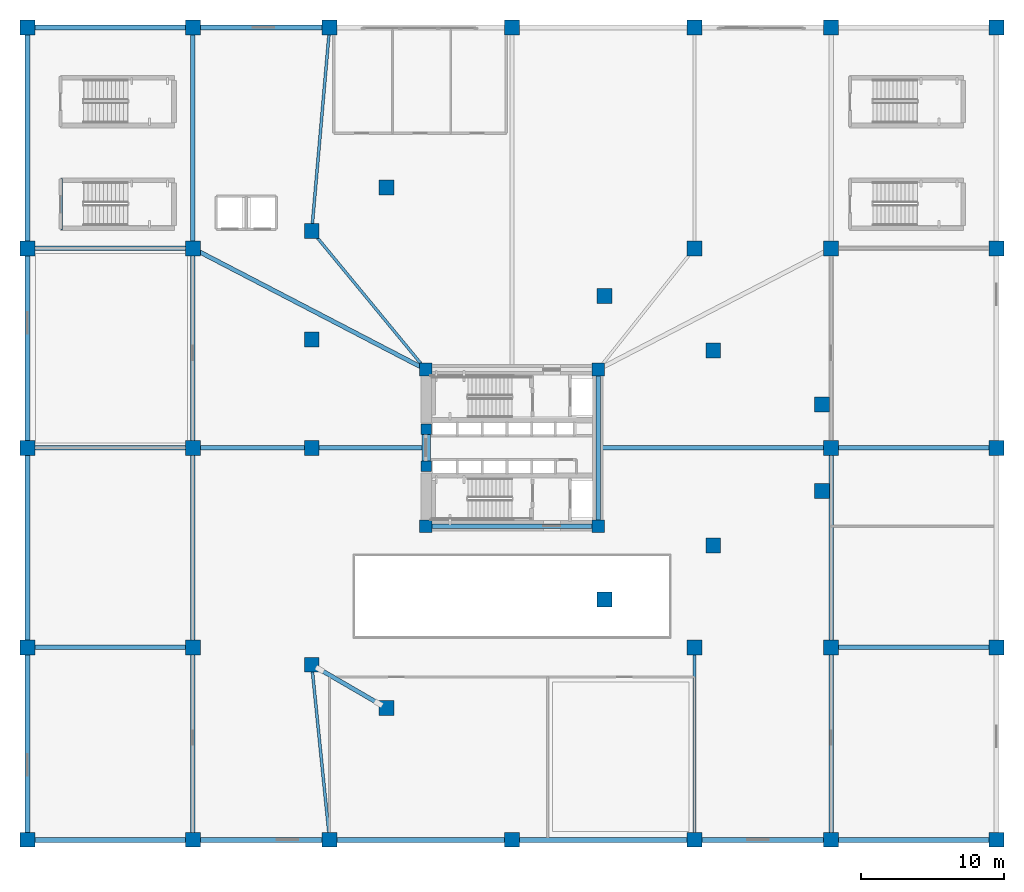
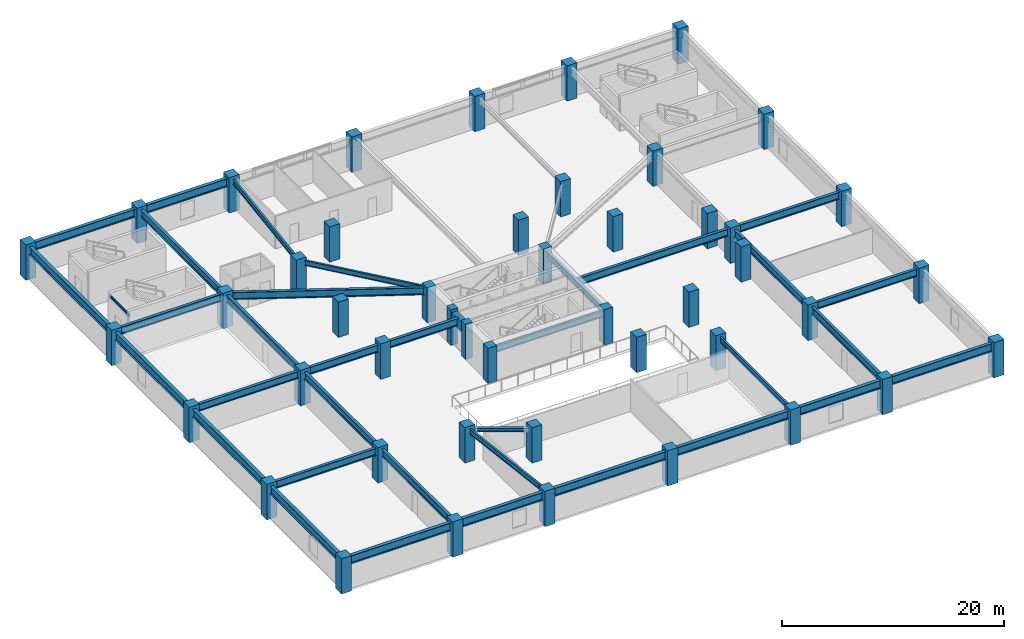
# One storey, part 1 of 15: 46 columns, 34 beams, 1 member.
"""IFC4 building model written with IfcOpenShell, lengths in metres."""

from ifc_helpers import new_model, si_unit, direction, frame, origin, origin_2d, place, context, subcontext, project, spatial, rectangle, i_section, extrude, source, transform, mapped, material, material_profile, profile_set, type_object, element, save


model = new_model("IFC4")

# Units and contexts
model_context = context("Model", 3, precision=1e-05, world=origin(), true_north=direction((0.0, 1.0)))
body_context = subcontext(model_context, "Body", "Model", "MODEL_VIEW")
ifc_project = project(units=[si_unit("LENGTHUNIT", "METRE"), si_unit("AREAUNIT", "SQUARE_METRE"), si_unit("VOLUMEUNIT", "CUBIC_METRE"), si_unit("PLANEANGLEUNIT", "RADIAN"), si_unit("MASSUNIT", "GRAM", prefix="KILO")], contexts=[model_context])

# Site, building, storey
site_placement = place(None, origin())
site = spatial("IfcSite", under=ifc_project, at=site_placement, CompositionType="ELEMENT")
building_placement = place(site_placement, origin())
building = spatial("IfcBuilding", under=site, at=building_placement, Name="Yunling Apex Tower", CompositionType="ELEMENT")
storey_placement = place(building_placement, frame((0.0, 0.0, 8.39990234375)))
storey = spatial("IfcBuildingStorey", under=building, at=storey_placement, Name="L03", CompositionType="ELEMENT", Elevation=8.39990234375)

# Columns
ifc_material_1 = material(Name="Concrete C60", Category="concrete")
ifc_material_profile_1 = material_profile(ifc_material_1, rectangle(XDim=0.89990234375, YDim=0.89990234375, at=origin_2d()))
ifc_profile_set_1 = profile_set([ifc_material_profile_1], Name="Concrete C60")
column_type_1 = type_object("IfcColumnType", Name="PC-SRC-3", PredefinedType="COLUMN", material=ifc_profile_set_1)
shared_shape_1 = source(origin(), body_context, "Body", "SweptSolid", [
    extrude(rectangle(XDim=0.89990234375, YDim=0.89990234375, at=origin_2d()), origin(), (0.0, 0.0, 1.0), 3.900146484375),
])
for number, where, z_axis, x_axis, name in (
    (1, (-6.050048828125, -5.5, 0.0), (0.0, 0.0, 1.0), (1.0, 0.0, 0.0), "L03 Core Spine Column CC-SW"),
    (2, (6.050048828125, -5.5, 0.0), (0.0, 0.0, 1.0), (1.0, 0.0, 0.0), "L03 Core Spine Column CC-SE"),
    (3, (6.050048828125, 5.5, 0.0), (0.0, 0.0, 1.0), (1.0, 0.0, 0.0), "L03 Core Spine Column CC-NE"),
    (4, (-6.050048828125, 5.5, 0.0), (0.0, 0.0, 1.0), (1.0, 0.0, 0.0), "L03 Core Spine Column CC-NW"),
):
    element("IfcColumn", number, at=place(storey_placement, frame(where, z_axis=z_axis, x_axis=x_axis)), inside=storey, type_object=column_type_1, Name=name, PredefinedType="COLUMN", context=body_context, shape_type="MappedRepresentation", body=[
        mapped(shared_shape_1, transform((0.0, 0.0, 0.0), scale=1.0)),
    ])
ifc_material_2 = material(Name="Concrete C50", Category="concrete")
ifc_material_profile_2 = material_profile(ifc_material_2, rectangle(XDim=0.75, YDim=0.75, at=origin_2d()))
ifc_profile_set_2 = profile_set([ifc_material_profile_2], Name="Concrete C50")
column_type_2 = type_object("IfcColumnType", Name="PC-SRC-4", PredefinedType="COLUMN", material=ifc_profile_set_2)
shared_shape_2 = source(origin(), body_context, "Body", "SweptSolid", [
    extrude(rectangle(XDim=0.75, YDim=0.75, at=origin_2d()), origin(), (0.0, 0.0, 1.0), 3.900146484375),
])
for number, where, z_axis, x_axis, name in (
    (5, (-6.02490234375, -1.300048828125, 0.0), (0.0, 0.0, 1.0), (1.0, 0.0, 0.0), "L03 Core West Portal Jamb Column S"),
    (6, (-6.02490234375, 1.300048828125, 0.0), (0.0, 0.0, 1.0), (1.0, 0.0, 0.0), "L03 Core West Portal Jamb Column N"),
):
    element("IfcColumn", number, at=place(storey_placement, frame(where, z_axis=z_axis, x_axis=x_axis)), inside=storey, type_object=column_type_2, Name=name, PredefinedType="COLUMN", context=body_context, shape_type="MappedRepresentation", body=[
        mapped(shared_shape_2, transform((0.0, 0.0, 0.0), scale=1.0)),
    ])
ifc_material_profile_3 = material_profile(ifc_material_1, rectangle(XDim=1.050048828125, YDim=1.050048828125, at=origin_2d()))
ifc_profile_set_3 = profile_set([ifc_material_profile_3], Name="Concrete C60")
column_type_3 = type_object("IfcColumnType", Name="PC-SRC-2", PredefinedType="COLUMN", material=ifc_profile_set_3)
shared_shape_3 = source(origin(), body_context, "Body", "SweptSolid", [
    extrude(rectangle(XDim=1.050048828125, YDim=1.050048828125, at=origin_2d()), origin(), (0.0, 0.0, 1.0), 3.900146484375),
])
for number, where, z_axis, x_axis, name in (
    (7, (-34.0, -27.5, 0.0), (0.0, 0.0, 1.0), (1.0, 0.0, 0.0), "L03 Podium Mega-Column PC-01"),
    (8, (-22.39990234375, -27.5, 0.0), (0.0, 0.0, 1.0), (1.0, 0.0, 0.0), "L03 Podium Mega-Column PC-02"),
    (9, (-12.800048828125, -27.5, 0.0), (0.0, 0.0, 1.0), (1.0, 0.0, 0.0), "L03 Podium Mega-Column PC-03"),
    (10, (0.0, -27.5, 0.0), (0.0, 0.0, 1.0), (1.0, 0.0, 0.0), "L03 Podium Mega-Column PC-04"),
    (11, (12.800048828125, -27.5, 0.0), (0.0, 0.0, 1.0), (1.0, 0.0, 0.0), "L03 Podium Mega-Column PC-05"),
    (12, (22.39990234375, -27.5, 0.0), (0.0, 0.0, 1.0), (1.0, 0.0, 0.0), "L03 Podium Mega-Column PC-06"),
    (13, (34.0, -27.5, 0.0), (0.0, 0.0, 1.0), (1.0, 0.0, 0.0), "L03 Podium Mega-Column PC-07"),
    (14, (-34.0, -14.0, 0.0), (0.0, 0.0, 1.0), (1.0, 0.0, 0.0), "L03 Podium Mega-Column PC-08"),
    (15, (-22.39990234375, -14.0, 0.0), (0.0, 0.0, 1.0), (1.0, 0.0, 0.0), "L03 Podium Mega-Column PC-09"),
    (16, (12.800048828125, -14.0, 0.0), (0.0, 0.0, 1.0), (1.0, 0.0, 0.0), "L03 Podium Mega-Column PC-11"),
    (17, (22.39990234375, -14.0, 0.0), (0.0, 0.0, 1.0), (1.0, 0.0, 0.0), "L03 Podium Mega-Column PC-12"),
    (18, (34.0, -14.0, 0.0), (0.0, 0.0, 1.0), (1.0, 0.0, 0.0), "L03 Podium Mega-Column PC-13"),
    (19, (-34.0, 0.0, 0.0), (0.0, 0.0, 1.0), (1.0, 0.0, 0.0), "L03 Podium Mega-Column PC-14"),
    (20, (-22.39990234375, 0.0, 0.0), (0.0, 0.0, 1.0), (1.0, 0.0, 0.0), "L03 Podium Mega-Column PC-15"),
    (21, (22.39990234375, 0.0, 0.0), (0.0, 0.0, 1.0), (1.0, 0.0, 0.0), "L03 Podium Mega-Column PC-16"),
    (22, (34.0, 0.0, 0.0), (0.0, 0.0, 1.0), (1.0, 0.0, 0.0), "L03 Podium Mega-Column PC-17"),
    (23, (-34.0, 14.0, 0.0), (0.0, 0.0, 1.0), (1.0, 0.0, 0.0), "L03 Podium Mega-Column PC-18"),
    (24, (-22.39990234375, 14.0, 0.0), (0.0, 0.0, 1.0), (1.0, 0.0, 0.0), "L03 Podium Mega-Column PC-19"),
    (25, (12.800048828125, 14.0, 0.0), (0.0, 0.0, 1.0), (1.0, 0.0, 0.0), "L03 Podium Mega-Column PC-21"),
    (26, (22.39990234375, 14.0, 0.0), (0.0, 0.0, 1.0), (1.0, 0.0, 0.0), "L03 Podium Mega-Column PC-22"),
    (27, (34.0, 14.0, 0.0), (0.0, 0.0, 1.0), (1.0, 0.0, 0.0), "L03 Podium Mega-Column PC-23"),
    (28, (-34.0, 29.5, 0.0), (0.0, 0.0, 1.0), (1.0, 0.0, 0.0), "L03 Podium Mega-Column PC-24"),
    (29, (-22.39990234375, 29.5, 0.0), (0.0, 0.0, 1.0), (1.0, 0.0, 0.0), "L03 Podium Mega-Column PC-25"),
    (30, (-12.800048828125, 29.5, 0.0), (0.0, 0.0, 1.0), (1.0, 0.0, 0.0), "L03 Podium Mega-Column PC-26"),
    (31, (0.0, 29.5, 0.0), (0.0, 0.0, 1.0), (1.0, 0.0, 0.0), "L03 Podium Mega-Column PC-27"),
    (32, (12.800048828125, 29.5, 0.0), (0.0, 0.0, 1.0), (1.0, 0.0, 0.0), "L03 Podium Mega-Column PC-28"),
    (33, (22.39990234375, 29.5, 0.0), (0.0, 0.0, 1.0), (1.0, 0.0, 0.0), "L03 Podium Mega-Column PC-29"),
    (34, (34.0, 29.5, 0.0), (0.0, 0.0, 1.0), (1.0, 0.0, 0.0), "L03 Podium Mega-Column PC-30"),
    (35, (-8.8115234375, -18.2578125, 0.0), (0.0, 0.0, 1.0), (1.0, 0.0, 0.0), "L03 Podium Mega-Column MP-B1-01"),
    (36, (6.477294921875, -10.648193359375, 0.0), (0.0, 0.0, 1.0), (1.0, 0.0, 0.0), "L03 Podium Mega-Column MP-B1-02"),
    (37, (14.121826171875, -6.843505859375, 0.0), (0.0, 0.0, 1.0), (1.0, 0.0, 0.0), "L03 Podium Mega-Column MP-B1-03"),
    (38, (21.76611328125, -3.038818359375, 0.0), (0.0, 0.0, 1.0), (1.0, 0.0, 0.0), "L03 Podium Mega-Column MP-B1-04"),
    (39, (21.76611328125, 3.038818359375, 0.0), (0.0, 0.0, 1.0), (1.0, 0.0, 0.0), "L03 Podium Mega-Column MP-B1-05"),
    (40, (14.121826171875, 6.843505859375, 0.0), (0.0, 0.0, 1.0), (1.0, 0.0, 0.0), "L03 Podium Mega-Column MP-B1-06"),
    (41, (6.477294921875, 10.648193359375, 0.0), (0.0, 0.0, 1.0), (1.0, 0.0, 0.0), "L03 Podium Mega-Column MP-B1-07"),
    (42, (-8.8115234375, 18.2578125, 0.0), (0.0, 0.0, 1.0), (1.0, 0.0, 0.0), "L03 Podium Mega-Column MP-B1-08"),
    (43, (-14.052001953125, 15.218994140625, 0.0), (0.0, 0.0, 1.0), (1.0, 0.0, 0.0), "L03 Podium Mega-Column MP-B1-09"),
    (44, (-14.052001953125, 7.609619140625, 0.0), (0.0, 0.0, 1.0), (1.0, 0.0, 0.0), "L03 Podium Mega-Column MP-B1-10"),
    (45, (-14.052001953125, 0.0, 0.0), (0.0, 0.0, 1.0), (1.0, 0.0, 0.0), "L03 Podium Mega-Column MP-B1-11"),
    (46, (-14.052001953125, -15.218994140625, 0.0), (0.0, 0.0, 1.0), (1.0, 0.0, 0.0), "L03 Podium Mega-Column MP-B1-12"),
):
    element("IfcColumn", number, at=place(storey_placement, frame(where, z_axis=z_axis, x_axis=x_axis)), inside=storey, type_object=column_type_3, Name=name, PredefinedType="COLUMN", context=body_context, shape_type="MappedRepresentation", body=[
        mapped(shared_shape_3, transform((0.0, 0.0, 0.0), scale=1.0)),
    ])

# Beams
ifc_material_profile_4 = material_profile(ifc_material_1, rectangle(XDim=0.60009765625, YDim=1.0, at=origin_2d()))
ifc_profile_set_4 = profile_set([ifc_material_profile_4], Name="Concrete C60")
beam_type_1 = type_object("IfcBeamType", Name="BC-CPL-1", PredefinedType="BEAM", material=ifc_profile_set_4)
shared_shape_4 = source(origin(), body_context, "Body", "SweptSolid", [
    extrude(rectangle(XDim=0.60009765625, YDim=1.0, at=origin_2d()), origin(), (0.0, 0.0, 1.0), 2.5),
])
beam_1_placement = place(storey_placement, frame((-6.02490234375, -1.25, 3.090087890625), z_axis=(0.0, 1.0, 0.0), x_axis=(-1.0, 0.0, 0.0)))
element("IfcBeam", 47, at=beam_1_placement, inside=storey, type_object=beam_type_1, Name="L03 Core West Portal Coupling Beam", PredefinedType="BEAM", context=body_context, shape_type="MappedRepresentation", body=[
    mapped(shared_shape_4, transform((0.0, 0.0, 0.0), scale=1.0)),
])
ifc_material_3 = material(Name="Steel Q355B", Category="steel")
ifc_material_profile_5 = material_profile(ifc_material_3, i_section(OverallWidth=0.300048828125, OverallDepth=0.699951171875, WebThickness=0.012939453125, FlangeThickness=0.02392578125, FilletRadius=0.02587890625, at=origin_2d()))
ifc_profile_set_5 = profile_set([ifc_material_profile_5], Name="Steel Q355B")
beam_type_2 = type_object("IfcBeamType", Name="BG-PRI-3", PredefinedType="USERDEFINED", material=ifc_profile_set_5)
shared_shape_5 = source(origin(), body_context, "Body", "SweptSolid", [
    extrude(i_section(OverallWidth=0.300048828125, OverallDepth=0.699951171875, WebThickness=0.012939453125, FlangeThickness=0.02392578125, FilletRadius=0.02587890625, at=origin_2d()), origin(), (0.0, 0.0, 1.0), 11.7998046875),
])
beam_2_placement = place(storey_placement, frame((-5.89990234375, -5.5, 3.239990234375), z_axis=(1.0, 0.0, 0.0), x_axis=(0.0, 1.0, 0.0)))
element("IfcBeam", 48, at=beam_2_placement, inside=storey, type_object=beam_type_2, Name="L03 Core Ring Tie Beam 1", ObjectType="GIRDER", PredefinedType="USERDEFINED", context=body_context, shape_type="MappedRepresentation", body=[
    mapped(shared_shape_5, transform((0.0, 0.0, 0.0), scale=1.0)),
])
shared_shape_6 = source(origin(), body_context, "Body", "SweptSolid", [
    extrude(i_section(OverallWidth=0.300048828125, OverallDepth=0.699951171875, WebThickness=0.012939453125, FlangeThickness=0.02392578125, FilletRadius=0.02587890625, at=origin_2d()), origin(), (0.0, 0.0, 1.0), 10.7001953125),
])
beam_3_placement = place(storey_placement, frame((6.050048828125, -5.35009765625, 3.239990234375), z_axis=(0.0, 1.0, 0.0), x_axis=(-1.0, 0.0, 0.0)))
element("IfcBeam", 49, at=beam_3_placement, inside=storey, type_object=beam_type_2, Name="L03 Core Ring Tie Beam 2", ObjectType="GIRDER", PredefinedType="USERDEFINED", context=body_context, shape_type="MappedRepresentation", body=[
    mapped(shared_shape_6, transform((0.0, 0.0, 0.0), scale=1.0)),
])
ifc_material_profile_6 = material_profile(ifc_material_3, i_section(OverallWidth=0.35009765625, OverallDepth=0.89990234375, WebThickness=0.01806640625, FlangeThickness=0.028076171875, FilletRadius=0.02392578125, at=origin_2d()))
ifc_profile_set_6 = profile_set([ifc_material_profile_6], Name="Steel Q355B")
beam_type_3 = type_object("IfcBeamType", Name="BG-PRI-1", PredefinedType="USERDEFINED", material=ifc_profile_set_6)
shared_shape_7 = source(origin(), body_context, "Body", "SweptSolid", [
    extrude(i_section(OverallWidth=0.35009765625, OverallDepth=0.89990234375, WebThickness=0.01806640625, FlangeThickness=0.028076171875, FilletRadius=0.02392578125, at=origin_2d()), origin(), (0.0, 0.0, 1.0), 11.52001953125),
])
for number, where, z_axis, x_axis, name in (
    (50, (-33.9599609375, -27.5, 3.14013671875), (1.0, 0.0, 0.0), (0.0, 1.0, 0.0), "L03 Podium Edge Girder 1"),
    (51, (22.43994140625, -27.5, 3.14013671875), (1.0, 0.0, 0.0), (0.0, 1.0, 0.0), "L03 Podium Edge Girder 6"),
    (52, (-33.9599609375, 29.5, 3.14013671875), (1.0, 0.0, 0.0), (0.0, 1.0, 0.0), "L03 Podium Edge Girder 7"),
):
    element("IfcBeam", number, at=place(storey_placement, frame(where, z_axis=z_axis, x_axis=x_axis)), inside=storey, type_object=beam_type_3, Name=name, ObjectType="GIRDER", PredefinedType="USERDEFINED", context=body_context, shape_type="MappedRepresentation", body=[
        mapped(shared_shape_7, transform((0.0, 0.0, 0.0), scale=1.0)),
    ])
shared_shape_8 = source(origin(), body_context, "Body", "SweptSolid", [
    extrude(i_section(OverallWidth=0.35009765625, OverallDepth=0.89990234375, WebThickness=0.01806640625, FlangeThickness=0.028076171875, FilletRadius=0.02392578125, at=origin_2d()), origin(), (0.0, 0.0, 1.0), 9.52001953125),
])
for number, where, z_axis, x_axis, name in (
    (53, (-22.360107421875, -27.5, 3.14013671875), (1.0, 0.0, 0.0), (0.0, 1.0, 0.0), "L03 Podium Edge Girder 2"),
    (54, (12.840087890625, -27.5, 3.14013671875), (1.0, 0.0, 0.0), (0.0, 1.0, 0.0), "L03 Podium Edge Girder 5"),
    (55, (-22.360107421875, 29.5, 3.14013671875), (1.0, 0.0, 0.0), (0.0, 1.0, 0.0), "L03 Podium Edge Girder 8"),
):
    element("IfcBeam", number, at=place(storey_placement, frame(where, z_axis=z_axis, x_axis=x_axis)), inside=storey, type_object=beam_type_3, Name=name, ObjectType="GIRDER", PredefinedType="USERDEFINED", context=body_context, shape_type="MappedRepresentation", body=[
        mapped(shared_shape_8, transform((0.0, 0.0, 0.0), scale=1.0)),
    ])
shared_shape_9 = source(origin(), body_context, "Body", "SweptSolid", [
    extrude(i_section(OverallWidth=0.35009765625, OverallDepth=0.89990234375, WebThickness=0.01806640625, FlangeThickness=0.028076171875, FilletRadius=0.02392578125, at=origin_2d()), origin(), (0.0, 0.0, 1.0), 12.719970703125),
])
for number, where, z_axis, x_axis, name in (
    (56, (-12.760009765625, -27.5, 3.14013671875), (1.0, 0.0, 0.0), (0.0, 1.0, 0.0), "L03 Podium Edge Girder 3"),
    (57, (0.0400390625, -27.5, 3.14013671875), (1.0, 0.0, 0.0), (0.0, 1.0, 0.0), "L03 Podium Edge Girder 4"),
):
    element("IfcBeam", number, at=place(storey_placement, frame(where, z_axis=z_axis, x_axis=x_axis)), inside=storey, type_object=beam_type_3, Name=name, ObjectType="GIRDER", PredefinedType="USERDEFINED", context=body_context, shape_type="MappedRepresentation", body=[
        mapped(shared_shape_9, transform((0.0, 0.0, 0.0), scale=1.0)),
    ])
shared_shape_10 = source(origin(), body_context, "Body", "SweptSolid", [
    extrude(i_section(OverallWidth=0.35009765625, OverallDepth=0.89990234375, WebThickness=0.01806640625, FlangeThickness=0.028076171875, FilletRadius=0.02392578125, at=origin_2d()), origin(), (0.0, 0.0, 1.0), 13.419921875),
])
beam_4_placement = place(storey_placement, frame((-34.0, -27.4599609375, 3.14013671875), z_axis=(0.0, 1.0, 0.0), x_axis=(-1.0, 0.0, 0.0)))
element("IfcBeam", 58, at=beam_4_placement, inside=storey, type_object=beam_type_3, Name="L03 Podium Side Girder 13", ObjectType="GIRDER", PredefinedType="USERDEFINED", context=body_context, shape_type="MappedRepresentation", body=[
    mapped(shared_shape_10, transform((0.0, 0.0, 0.0), scale=1.0)),
])
shared_shape_11 = source(origin(), body_context, "Body", "SweptSolid", [
    extrude(i_section(OverallWidth=0.35009765625, OverallDepth=0.89990234375, WebThickness=0.01806640625, FlangeThickness=0.028076171875, FilletRadius=0.02392578125, at=origin_2d()), origin(), (0.0, 0.0, 1.0), 13.919921875),
])
for number, where, z_axis, x_axis, name in (
    (59, (-34.0, -13.9599609375, 3.14013671875), (0.0, 1.0, 0.0), (-1.0, 0.0, 0.0), "L03 Podium Side Girder 14"),
    (60, (-34.0, 0.0400390625, 3.14013671875), (0.0, 1.0, 0.0), (-1.0, 0.0, 0.0), "L03 Podium Side Girder 15"),
):
    element("IfcBeam", number, at=place(storey_placement, frame(where, z_axis=z_axis, x_axis=x_axis)), inside=storey, type_object=beam_type_3, Name=name, ObjectType="GIRDER", PredefinedType="USERDEFINED", context=body_context, shape_type="MappedRepresentation", body=[
        mapped(shared_shape_11, transform((0.0, 0.0, 0.0), scale=1.0)),
    ])
shared_shape_12 = source(origin(), body_context, "Body", "SweptSolid", [
    extrude(i_section(OverallWidth=0.35009765625, OverallDepth=0.89990234375, WebThickness=0.01806640625, FlangeThickness=0.028076171875, FilletRadius=0.02392578125, at=origin_2d()), origin(), (0.0, 0.0, 1.0), 15.419921875),
])
beam_5_placement = place(storey_placement, frame((-34.0, 14.0400390625, 3.14013671875), z_axis=(0.0, 1.0, 0.0), x_axis=(-1.0, 0.0, 0.0)))
element("IfcBeam", 61, at=beam_5_placement, inside=storey, type_object=beam_type_3, Name="L03 Podium Side Girder 16", ObjectType="GIRDER", PredefinedType="USERDEFINED", context=body_context, shape_type="MappedRepresentation", body=[
    mapped(shared_shape_12, transform((0.0, 0.0, 0.0), scale=1.0)),
])
ifc_material_profile_7 = material_profile(ifc_material_3, i_section(OverallWidth=0.300048828125, OverallDepth=0.800048828125, WebThickness=0.013916015625, FlangeThickness=0.02587890625, FilletRadius=0.028076171875, at=origin_2d()))
ifc_profile_set_7 = profile_set([ifc_material_profile_7], Name="Steel Q355B")
beam_type_4 = type_object("IfcBeamType", Name="BG-PRI-2", PredefinedType="USERDEFINED", material=ifc_profile_set_7)
shared_shape_13 = source(origin(), body_context, "Body", "SweptSolid", [
    extrude(i_section(OverallWidth=0.300048828125, OverallDepth=0.800048828125, WebThickness=0.013916015625, FlangeThickness=0.02587890625, FilletRadius=0.028076171875, at=origin_2d()), origin(), (0.0, 0.0, 1.0), 11.52001953125),
])
for number, where, z_axis, x_axis, name in (
    (62, (-33.9599609375, 14.0, 3.190185546875), (1.0, 0.0, 0.0), (0.0, 1.0, 0.0), "L03 Podium Primary Girder 1"),
    (63, (-33.9599609375, -14.0, 3.190185546875), (1.0, 0.0, 0.0), (0.0, 1.0, 0.0), "L03 Podium Primary Girder 5"),
    (64, (22.43994140625, -14.0, 3.190185546875), (1.0, 0.0, 0.0), (0.0, 1.0, 0.0), "L03 Podium Primary Girder 8"),
    (65, (-33.9599609375, 0.0, 3.190185546875), (1.0, 0.0, 0.0), (0.0, 1.0, 0.0), "L03 Podium Primary Girder 9"),
    (66, (22.43994140625, 0.0, 3.190185546875), (1.0, 0.0, 0.0), (0.0, 1.0, 0.0), "L03 Podium Primary Girder 12"),
):
    element("IfcBeam", number, at=place(storey_placement, frame(where, z_axis=z_axis, x_axis=x_axis)), inside=storey, type_object=beam_type_4, Name=name, ObjectType="GIRDER", PredefinedType="USERDEFINED", context=body_context, shape_type="MappedRepresentation", body=[
        mapped(shared_shape_13, transform((0.0, 0.0, 0.0), scale=1.0)),
    ])
shared_shape_14 = source(origin(), body_context, "Body", "SweptSolid", [
    extrude(i_section(OverallWidth=0.300048828125, OverallDepth=0.800048828125, WebThickness=0.013916015625, FlangeThickness=0.02587890625, FilletRadius=0.028076171875, at=origin_2d()), origin(), (0.0, 0.0, 1.0), 18.347412109375),
])
beam_6_placement = place(storey_placement, frame((-22.364501953125, 13.9814453125, 3.190185546875), z_axis=(0.887266251523, -0.461257627481, 0.0), x_axis=(0.461257627481, 0.887266251523, 0.0)))
element("IfcBeam", 67, at=beam_6_placement, inside=storey, type_object=beam_type_4, Name="L03 Podium Primary Girder 2", ObjectType="GIRDER", PredefinedType="USERDEFINED", context=body_context, shape_type="MappedRepresentation", body=[
    mapped(shared_shape_14, transform((0.0, 0.0, 0.0), scale=1.0)),
])
shared_shape_15 = source(origin(), body_context, "Body", "SweptSolid", [
    extrude(i_section(OverallWidth=0.300048828125, OverallDepth=0.800048828125, WebThickness=0.013916015625, FlangeThickness=0.02587890625, FilletRadius=0.028076171875, at=origin_2d()), origin(), (0.0, 0.0, 1.0), 16.22021484375),
])
for number, where, z_axis, x_axis, name in (
    (68, (-22.360107421875, 0.0, 3.190185546875), (1.0, 0.0, 0.0), (0.0, 1.0, 0.0), "L03 Podium Primary Girder 10"),
    (69, (6.139892578125, 0.0, 3.190185546875), (1.0, 0.0, 0.0), (0.0, 1.0, 0.0), "L03 Podium Primary Girder 11"),
):
    element("IfcBeam", number, at=place(storey_placement, frame(where, z_axis=z_axis, x_axis=x_axis)), inside=storey, type_object=beam_type_4, Name=name, ObjectType="GIRDER", PredefinedType="USERDEFINED", context=body_context, shape_type="MappedRepresentation", body=[
        mapped(shared_shape_15, transform((0.0, 0.0, 0.0), scale=1.0)),
    ])
shared_shape_16 = source(origin(), body_context, "Body", "SweptSolid", [
    extrude(i_section(OverallWidth=0.300048828125, OverallDepth=0.800048828125, WebThickness=0.013916015625, FlangeThickness=0.02587890625, FilletRadius=0.028076171875, at=origin_2d()), origin(), (0.0, 0.0, 1.0), 15.419921875),
])
beam_7_placement = place(storey_placement, frame((-22.39990234375, 29.4599609375, 3.190185546875), z_axis=(0.0, -1.0, 0.0), x_axis=(1.0, 0.0, 0.0)))
element("IfcBeam", 70, at=beam_7_placement, inside=storey, type_object=beam_type_4, Name="L03 Podium Primary Girder 13", ObjectType="GIRDER", PredefinedType="USERDEFINED", context=body_context, shape_type="MappedRepresentation", body=[
    mapped(shared_shape_16, transform((0.0, 0.0, 0.0), scale=1.0)),
])
shared_shape_17 = source(origin(), body_context, "Body", "SweptSolid", [
    extrude(i_section(OverallWidth=0.300048828125, OverallDepth=0.800048828125, WebThickness=0.013916015625, FlangeThickness=0.02587890625, FilletRadius=0.028076171875, at=origin_2d()), origin(), (0.0, 0.0, 1.0), 13.919921875),
])
for number, where, z_axis, x_axis, name in (
    (71, (-22.39990234375, 13.9599609375, 3.190185546875), (0.0, -1.0, 0.0), (1.0, 0.0, 0.0), "L03 Podium Primary Girder 14"),
    (72, (-22.39990234375, -0.0400390625, 3.190185546875), (0.0, -1.0, 0.0), (1.0, 0.0, 0.0), "L03 Podium Primary Girder 15"),
    (73, (22.39990234375, -0.0400390625, 3.190185546875), (0.0, -1.0, 0.0), (1.0, 0.0, 0.0), "L03 Podium Primary Girder 19"),
):
    element("IfcBeam", number, at=place(storey_placement, frame(where, z_axis=z_axis, x_axis=x_axis)), inside=storey, type_object=beam_type_4, Name=name, ObjectType="GIRDER", PredefinedType="USERDEFINED", context=body_context, shape_type="MappedRepresentation", body=[
        mapped(shared_shape_17, transform((0.0, 0.0, 0.0), scale=1.0)),
    ])
shared_shape_18 = source(origin(), body_context, "Body", "SweptSolid", [
    extrude(i_section(OverallWidth=0.300048828125, OverallDepth=0.800048828125, WebThickness=0.013916015625, FlangeThickness=0.02587890625, FilletRadius=0.028076171875, at=origin_2d()), origin(), (0.0, 0.0, 1.0), 13.419921875),
])
for number, where, z_axis, x_axis, name in (
    (74, (-22.39990234375, -14.0400390625, 3.190185546875), (0.0, -1.0, 0.0), (1.0, 0.0, 0.0), "L03 Podium Primary Girder 16"),
    (75, (22.39990234375, -14.0400390625, 3.190185546875), (0.0, -1.0, 0.0), (1.0, 0.0, 0.0), "L03 Podium Primary Girder 20"),
):
    element("IfcBeam", number, at=place(storey_placement, frame(where, z_axis=z_axis, x_axis=x_axis)), inside=storey, type_object=beam_type_4, Name=name, ObjectType="GIRDER", PredefinedType="USERDEFINED", context=body_context, shape_type="MappedRepresentation", body=[
        mapped(shared_shape_18, transform((0.0, 0.0, 0.0), scale=1.0)),
    ])
ifc_material_profile_8 = material_profile(ifc_material_3, i_section(OverallWidth=0.199951171875, OverallDepth=0.550048828125, WebThickness=0.010009765625, FlangeThickness=0.01611328125, FilletRadius=0.02001953125, at=origin_2d()))
ifc_profile_set_8 = profile_set([ifc_material_profile_8], Name="Steel Q355B")
beam_type_5 = type_object("IfcBeamType", Name="BS-SEC-1", PredefinedType="BEAM", material=ifc_profile_set_8)
shared_shape_19 = source(origin(), body_context, "Body", "SweptSolid", [
    extrude(i_section(OverallWidth=0.199951171875, OverallDepth=0.550048828125, WebThickness=0.010009765625, FlangeThickness=0.01611328125, FilletRadius=0.02001953125, at=origin_2d()), origin(), (0.0, 0.0, 1.0), 14.255859375),
])
beam_8_placement = place(storey_placement, frame((-12.803466796875, 29.460205078125, 3.315185546875), z_axis=(-0.087340515192, -0.99617851533, 0.0), x_axis=(0.99617851533, -0.087340515192, 0.0)))
element("IfcBeam", 76, at=beam_8_placement, inside=storey, type_object=beam_type_5, Name="L03 Podium Secondary Beam 1", PredefinedType="BEAM", context=body_context, shape_type="MappedRepresentation", body=[
    mapped(shared_shape_19, transform((0.0, 0.0, 0.0), scale=1.0)),
])
shared_shape_20 = source(origin(), body_context, "Body", "SweptSolid", [
    extrude(i_section(OverallWidth=0.199951171875, OverallDepth=0.550048828125, WebThickness=0.010009765625, FlangeThickness=0.01611328125, FilletRadius=0.02001953125, at=origin_2d()), origin(), (0.0, 0.0, 1.0), 12.509033203125),
])
beam_9_placement = place(storey_placement, frame((-14.026611328125, 15.18798828125, 3.315185546875), z_axis=(0.635629262148, -0.771994456652, 0.0), x_axis=(0.771994456652, 0.635629262148, 0.0)))
element("IfcBeam", 77, at=beam_9_placement, inside=storey, type_object=beam_type_5, Name="L03 Podium Secondary Beam 2", PredefinedType="BEAM", context=body_context, shape_type="MappedRepresentation", body=[
    mapped(shared_shape_20, transform((0.0, 0.0, 0.0), scale=1.0)),
])
shared_shape_21 = source(origin(), body_context, "Body", "SweptSolid", [
    extrude(i_section(OverallWidth=0.199951171875, OverallDepth=0.550048828125, WebThickness=0.010009765625, FlangeThickness=0.01611328125, FilletRadius=0.02001953125, at=origin_2d()), origin(), (0.0, 0.0, 1.0), 13.419921875),
])
beam_10_placement = place(storey_placement, frame((12.800048828125, -27.4599609375, 3.315185546875), z_axis=(0.0, 1.0, 0.0), x_axis=(-1.0, 0.0, 0.0)))
element("IfcBeam", 78, at=beam_10_placement, inside=storey, type_object=beam_type_5, Name="L03 Podium Secondary Beam 7", PredefinedType="BEAM", context=body_context, shape_type="MappedRepresentation", body=[
    mapped(shared_shape_21, transform((0.0, 0.0, 0.0), scale=1.0)),
])
shared_shape_22 = source(origin(), body_context, "Body", "SweptSolid", [
    extrude(i_section(OverallWidth=0.199951171875, OverallDepth=0.550048828125, WebThickness=0.010009765625, FlangeThickness=0.01611328125, FilletRadius=0.02001953125, at=origin_2d()), origin(), (0.0, 0.0, 1.0), 12.2646484375),
])
beam_11_placement = place(storey_placement, frame((-12.80419921875, -27.460205078125, 3.315185546875), z_axis=(-0.101401512652, 0.994845582607, 0.0), x_axis=(-0.994845582607, -0.101401512652, 0.0)))
element("IfcBeam", 79, at=beam_11_placement, inside=storey, type_object=beam_type_5, Name="L03 Podium Secondary Beam 5", PredefinedType="BEAM", context=body_context, shape_type="MappedRepresentation", body=[
    mapped(shared_shape_22, transform((0.0, 0.0, 0.0), scale=1.0)),
])
ifc_material_profile_9 = material_profile(ifc_material_3, i_section(OverallWidth=0.125, OverallDepth=0.25, WebThickness=0.006103515625, FlangeThickness=0.009033203125, FilletRadius=0.011962890625, at=origin_2d()))
ifc_profile_set_9 = profile_set([ifc_material_profile_9], Name="Steel Q355B")
beam_type_6 = type_object("IfcBeamType", Name="BL-LNT-1", PredefinedType="LINTEL", material=ifc_profile_set_9)
shared_shape_23 = source(origin(), body_context, "Body", "SweptSolid", [
    extrude(i_section(OverallWidth=0.125, OverallDepth=0.25, WebThickness=0.006103515625, FlangeThickness=0.009033203125, FilletRadius=0.011962890625, at=origin_2d()), origin(), (0.0, 0.0, 1.0), 3.639892578125),
])
beam_12_placement = place(storey_placement, frame((-31.60009765625, 15.280029296875, 3.440185546875), z_axis=(0.0, 1.0, 0.0), x_axis=(-1.0, 0.0, 0.0)))
element("IfcBeam", 80, at=beam_12_placement, inside=storey, type_object=beam_type_6, Name="L03 Secondary Spandrel Lintel BL-LNT-L03-1", PredefinedType="LINTEL", context=body_context, shape_type="MappedRepresentation", body=[
    mapped(shared_shape_23, transform((0.0, 0.0, 0.0), scale=1.0)),
])

# Member
ifc_material_profile_10 = material_profile(ifc_material_3, i_section(OverallWidth=0.300048828125, OverallDepth=0.389892578125, WebThickness=0.010009765625, FlangeThickness=0.01611328125, FilletRadius=0.02001953125, at=origin_2d()))
ifc_profile_set_10 = profile_set([ifc_material_profile_10], Name="Steel Q355B")
member_type = type_object("IfcMemberType", Name="ST-STR-2", PredefinedType="STRUT", material=ifc_profile_set_10)
shared_shape_24 = source(origin(), body_context, "Body", "SweptSolid", [
    extrude(i_section(OverallWidth=0.300048828125, OverallDepth=0.389892578125, WebThickness=0.010009765625, FlangeThickness=0.01611328125, FilletRadius=0.02001953125, at=origin_2d()), origin(), (0.0, 0.0, 1.0), 4.758056640625),
])
member_placement = place(storey_placement, frame((-13.48779296875, -15.546142578125, 3.239990234375), z_axis=(0.864965709617, -0.50183096874, 0.0), x_axis=(0.50183096874, 0.864965709617, 0.0)))
element("IfcMember", 81, at=member_placement, inside=storey, type_object=member_type, Name="L03 Atrium Lateral Tie Strut", PredefinedType="STRUT", context=body_context, shape_type="MappedRepresentation", body=[
    mapped(shared_shape_24, transform((0.0, 0.0, 0.0), scale=1.0)),
])

save(model, "model.ifc")
